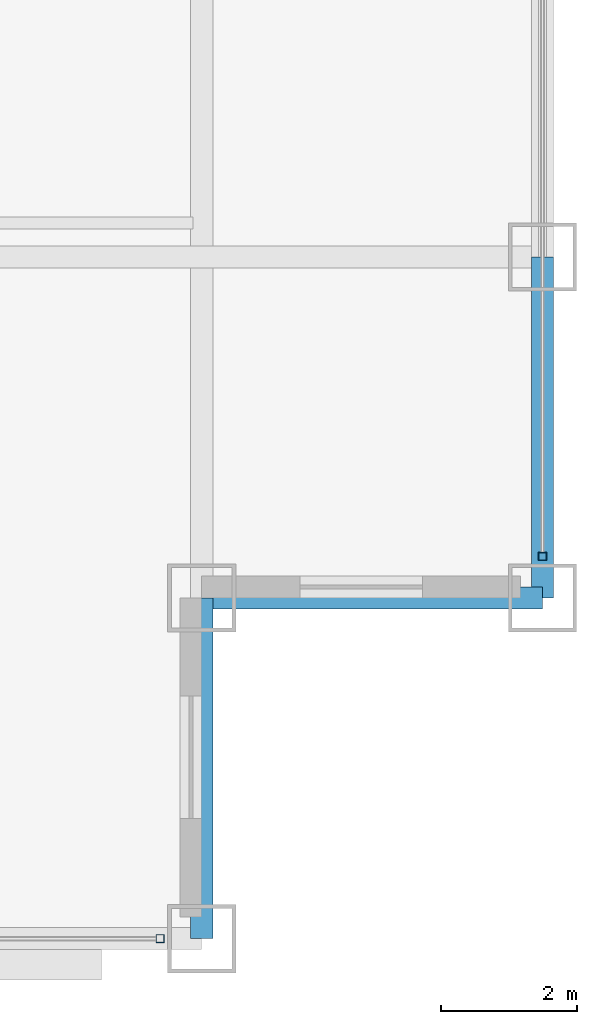
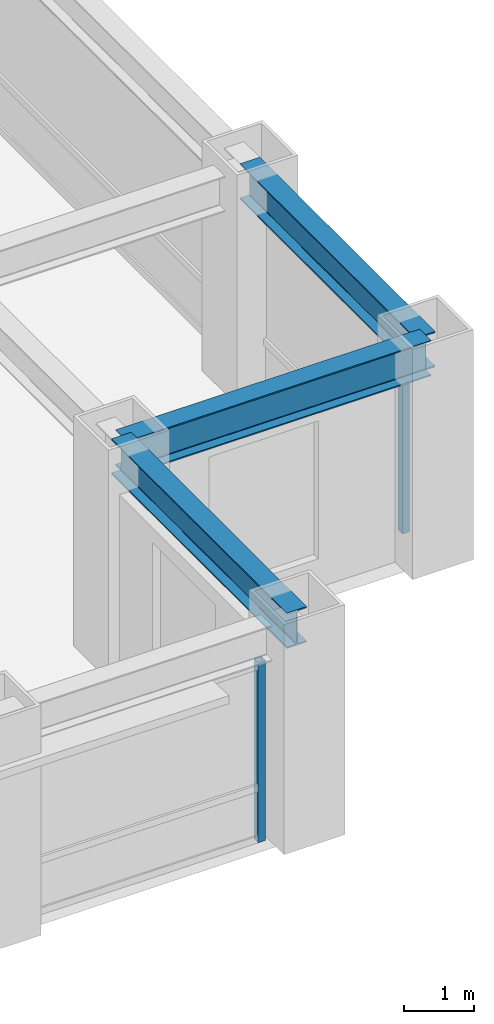
# One storey, part 8 of 29: 3 beams, 2 members, 2 elements without a shape of their own.
"""IFC4 building model written with IfcOpenShell, lengths in metres."""

from ifc_helpers import new_model, si_unit, direction, frame, origin, origin_2d, place, context, subcontext, project, spatial, hollow_rectangle, i_section, extrude, source, transform, mapped, material, material_profile, profile_set, type_object, element, aggregate, save


model = new_model("IFC4")

# Units and contexts
model_context = context("Model", 3, precision=1e-05, world=origin(), true_north=direction((0.0, 1.0)))
body_context = subcontext(model_context, "Body", "Model", "MODEL_VIEW")
ifc_project = project(units=[si_unit("LENGTHUNIT", "METRE"), si_unit("AREAUNIT", "SQUARE_METRE"), si_unit("VOLUMEUNIT", "CUBIC_METRE"), si_unit("PLANEANGLEUNIT", "RADIAN"), si_unit("MASSUNIT", "GRAM", prefix="KILO")], contexts=[model_context])

# Site, building, storey
site_placement = place(None, origin())
site = spatial("IfcSite", under=ifc_project, at=site_placement, CompositionType="ELEMENT")
building_placement = place(site_placement, origin())
building = spatial("IfcBuilding", under=site, at=building_placement, Name="Khorayat Bourse Tower", CompositionType="ELEMENT")
storey_placement = place(building_placement, frame((0.0, 0.0, 243.10009765625)))
storey = spatial("IfcBuildingStorey", under=building, at=storey_placement, Name="L57", CompositionType="ELEMENT", Elevation=243.10009765625)

# Beams
ifc_material_1 = material(Name="Steel ASTM A992 Grade 50", Category="steel")
ifc_material_profile_1 = material_profile(ifc_material_1, i_section(OverallWidth=0.324951171875, OverallDepth=0.615966796875, WebThickness=0.013916015625, FlangeThickness=0.021484375, FilletRadius=0.01611328125, at=origin_2d()), Name="W610X174")
ifc_profile_set_1 = profile_set([ifc_material_profile_1], Name="Steel ASTM A992 Grade 50")
beam_type = type_object("IfcBeamType", Name="BM-SPAN-610", PredefinedType="SPANDREL", material=ifc_profile_set_1)
shared_shape_1 = source(origin(), body_context, "Body", "SweptSolid", [
    extrude(i_section(OverallWidth=0.324951171875, OverallDepth=0.615966796875, WebThickness=0.013916015625, FlangeThickness=0.021484375, FilletRadius=0.01611328125, at=origin_2d()), origin(), (0.0, 0.0, 1.0), 5.0),
])
for number, where, z_axis, x_axis, name in (
    (1, (25.0, -30.0, 3.471923828125), (0.0, 1.0, 0.0), (-1.0, 0.0, 0.0), "L57 BM-SPAN-610 BM-L57-SPN-032"),
    (2, (25.0, -25.0, 3.471923828125), (1.0, 0.0, 0.0), (0.0, 1.0, 0.0), "L57 BM-SPAN-610 BM-L57-SPN-033"),
    (3, (30.0, -25.0, 3.471923828125), (0.0, 1.0, 0.0), (-1.0, 0.0, 0.0), "L57 BM-SPAN-610 BM-L57-SPN-034"),
):
    element("IfcBeam", number, at=place(storey_placement, frame(where, z_axis=z_axis, x_axis=x_axis)), inside=storey, type_object=beam_type, Name=name, PredefinedType="SPANDREL", context=body_context, shape_type="MappedRepresentation", body=[
        mapped(shared_shape_1, transform((0.0, 0.0, 0.0), scale=1.0)),
    ])

# Curtain wall, member
ifc_material_2 = material(Name="Aluminium EN AW-6063 T6", Category="aluminium")
curtain_wall_type = type_object("IfcCurtainWallType", Name="CW-SYS-03", PredefinedType="NOTDEFINED", material=ifc_material_2)
curtain_wall_1_placement = place(storey_placement, origin())
curtain_wall_1 = element("IfcCurtainWall", 4, at=curtain_wall_1_placement, inside=storey, type_object=curtain_wall_type, Name="L57 Curtain Wall CW-L57-S1", PredefinedType="NOTDEFINED")
ifc_material_profile_2 = material_profile(ifc_material_2, hollow_rectangle(XDim=0.1201171875, YDim=0.1201171875, WallThickness=0.0048828125, at=origin_2d()), Name="ALU 120x120x5")
ifc_profile_set_2 = profile_set([ifc_material_profile_2], Name="Aluminium EN AW-6063 T6")
member_type = type_object("IfcMemberType", Name="CWM-VERT-120", PredefinedType="MULLION", material=ifc_profile_set_2)
shared_shape_2 = source(origin(), body_context, "Body", "SweptSolid", [
    extrude(hollow_rectangle(XDim=0.1201171875, YDim=0.1201171875, WallThickness=0.0048828125, at=origin_2d()), origin(), (0.0, 0.0, 1.0), 3.1298828125),
])
member_1_placement = place(storey_placement, frame((24.389892578125, -30.0, 0.0), z_axis=(0.0, 0.0, 1.0), x_axis=(0.0, 1.0, 0.0)))
member_1 = element("IfcMember", 5, at=member_1_placement, type_object=member_type, Name="CW-L57-S1 Vertical Mullion 3", PredefinedType="MULLION", context=body_context, shape_type="MappedRepresentation", body=[
    mapped(shared_shape_2, transform((0.0, 0.0, 0.0), scale=1.0)),
])
aggregate(curtain_wall_1, [member_1])

curtain_wall_2_placement = place(storey_placement, origin())
curtain_wall_2 = element("IfcCurtainWall", 6, at=curtain_wall_2_placement, inside=storey, type_object=curtain_wall_type, Name="L57 Curtain Wall CW-L57-E1", PredefinedType="NOTDEFINED")
member_2_placement = place(storey_placement, frame((30.0, -24.389892578125, 0.0), z_axis=(0.0, 0.0, 1.0), x_axis=(-1.0, 0.0, 0.0)))
member_2 = element("IfcMember", 7, at=member_2_placement, type_object=member_type, Name="CW-L57-E1 Vertical Mullion 1", PredefinedType="MULLION", context=body_context, shape_type="MappedRepresentation", body=[
    mapped(shared_shape_2, transform((0.0, 0.0, 0.0), scale=1.0)),
])
aggregate(curtain_wall_2, [member_2])

save(model, "model.ifc")
